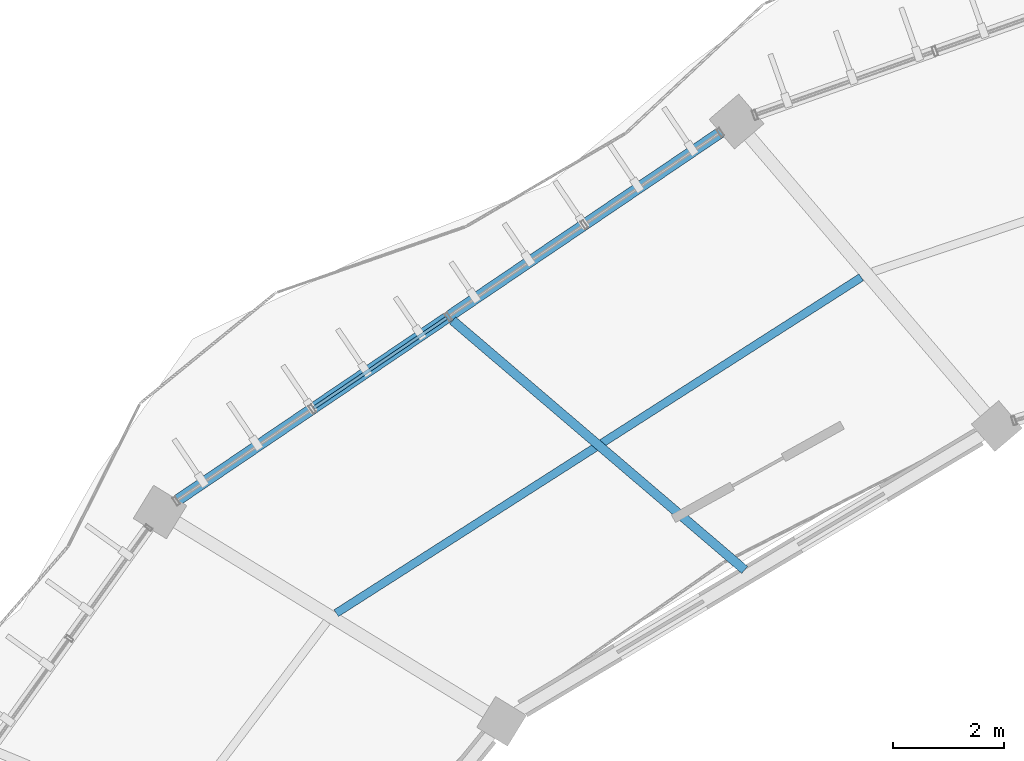
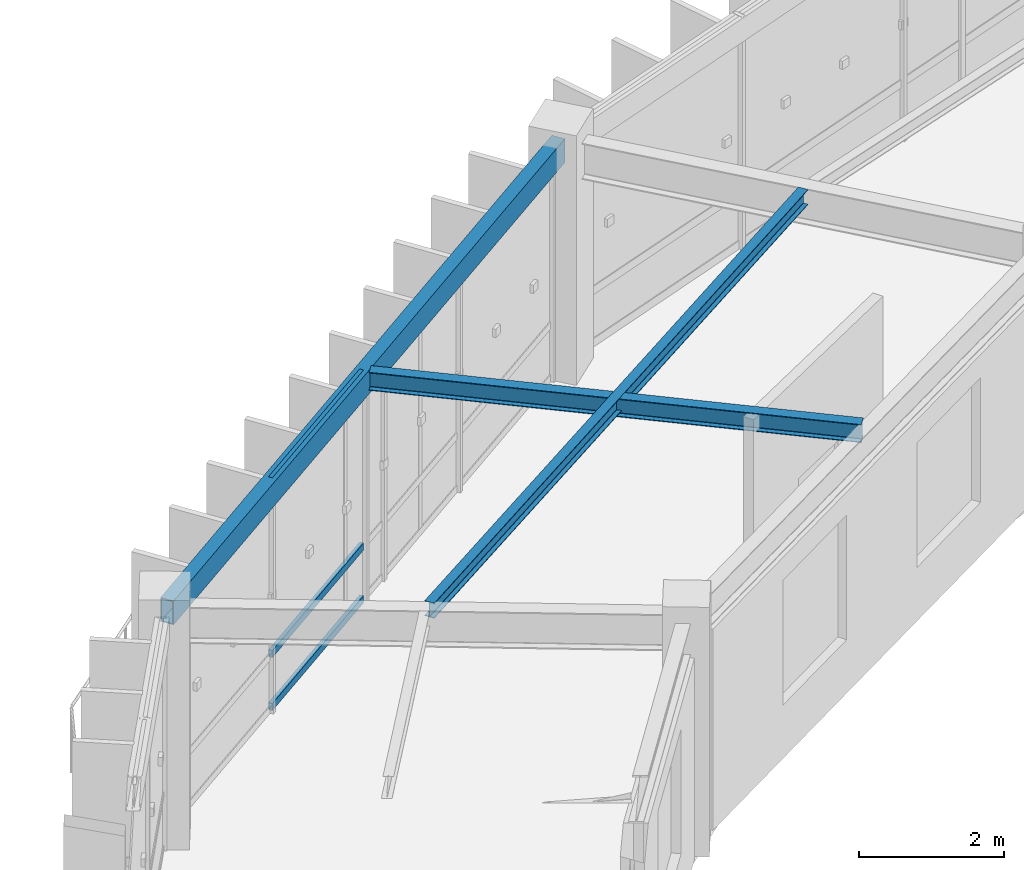
# One storey, part 44 of 138: 3 beams, 3 members, 1 element without a shape of its own.
"""IFC4 building model written with IfcOpenShell, lengths in metres."""

import ifcopenshell
import ifcopenshell.guid

model = None  # the IFC model being written
_history = None  # IfcOwnerHistory: only IFC2X3 demands one
_inside = {}  # id of a spatial element -> (the spatial element, [elements in it])
_under = {}  # id of a project, library or spatial element -> (it, [spatial elements below it])
_declared = {}  # id of a project -> (the project, [libraries it declares])
_typed = {}  # id of a type object -> (the type object, [elements of that type])
_made_of = {}  # id of a material, layer set ... -> (it, [elements and type objects made of it])


def new_model(schema):
    """Start an empty IFC model of exactly this schema.

    Asked for "IFC4X3", IfcOpenShell would pick the latest addendum, in which some entities
    have other attributes; the version numbers below select the first issue.
    IFC2X3 requires an IfcOwnerHistory on every rooted entity: one is made here for all.
    """
    global model, _history
    if schema == "IFC4X3":
        model = ifcopenshell.file(schema_version=(4, 3, 0, 0))
    else:
        model = ifcopenshell.file(schema=schema)
    _inside.clear()
    _under.clear()
    _declared.clear()
    _typed.clear()
    _made_of.clear()
    _history = None
    if model.schema == "IFC2X3":
        org = make("IfcOrganization", Name="unknown")
        user = make(
            "IfcPersonAndOrganization",
            ThePerson=make("IfcPerson", FamilyName="unknown"),
            TheOrganization=org,
        )
        app = make(
            "IfcApplication",
            ApplicationDeveloper=org,
            Version="unknown",
            ApplicationFullName="unknown",
            ApplicationIdentifier="unknown",
        )
        _history = make(
            "IfcOwnerHistory",
            OwningUser=user,
            OwningApplication=app,
            ChangeAction="ADDED",
            CreationDate=0,
        )
    return model


def make(cls, **values):
    """One entity of the class cls with the attributes given. An attribute that is None is left unset."""
    return model.create_entity(
        cls, **{name: value for name, value in values.items() if value is not None}
    )


def rooted(cls, **values):
    """An entity with a GlobalId (a new one), such as an element, a storey or a relation."""
    return make(cls, GlobalId=ifcopenshell.guid.new(), OwnerHistory=_history, **values)


def si_unit(unit_type, name, prefix=None):
    """IfcSIUnit, for example si_unit("LENGTHUNIT", "METRE", prefix="MILLI")."""
    return make("IfcSIUnit", UnitType=unit_type, Prefix=prefix, Name=name)


def assignment(units):
    """IfcUnitAssignment: the units of a project."""
    return None if units is None else make("IfcUnitAssignment", Units=units)


def point(xyz):
    """IfcCartesianPoint."""
    return None if xyz is None else make("IfcCartesianPoint", Coordinates=xyz)


def direction(xyz):
    """IfcDirection."""
    return None if xyz is None else make("IfcDirection", DirectionRatios=xyz)


def frame(location, z_axis=None, x_axis=None):
    """IfcAxis2Placement3D, a coordinate frame: its origin and axes. An axis left out is left unset."""
    return make(
        "IfcAxis2Placement3D",
        Location=point(location),
        Axis=direction(z_axis),
        RefDirection=direction(x_axis),
    )


def frame_2d(location, x_axis=None):
    """IfcAxis2Placement2D, a coordinate frame in the plane: its origin and x axis."""
    return make(
        "IfcAxis2Placement2D", Location=point(location), RefDirection=direction(x_axis)
    )


def origin():
    """The frame at (0, 0, 0) with its axes left unset."""
    return frame((0.0, 0.0, 0.0))


def origin_2d():
    """The frame at (0, 0) in the plane with its x axis left unset."""
    return frame_2d((0.0, 0.0))


def place(relative_to, where):
    """IfcLocalPlacement: puts the frame where relative to a parent placement (None: the world)."""
    return make(
        "IfcLocalPlacement", PlacementRelTo=relative_to, RelativePlacement=where
    )


def context(
    kind, dimensions, precision=None, world=None, true_north=None, identifier=None
):
    """IfcGeometricRepresentationContext, for example the 3D "Model" context."""
    return make(
        "IfcGeometricRepresentationContext",
        ContextIdentifier=identifier,
        ContextType=kind,
        CoordinateSpaceDimension=dimensions,
        Precision=precision,
        WorldCoordinateSystem=world,
        TrueNorth=true_north,
    )


def subcontext(parent, identifier, kind, view, scale=None):
    """IfcGeometricRepresentationSubContext, for example "Body" below "Model"."""
    return make(
        "IfcGeometricRepresentationSubContext",
        ContextIdentifier=identifier,
        ContextType=kind,
        ParentContext=parent,
        TargetScale=scale,
        TargetView=view,
    )


def project(units=None, contexts=None):
    """IfcProject with its units and contexts."""
    return rooted(
        "IfcProject",
        Name="project",
        RepresentationContexts=contexts,
        UnitsInContext=assignment(units),
    )


def spatial(cls, under=None, at=None, **own):
    """A site, building, storey or space (cls), placed at a placement, below another one or the project."""
    s = rooted(cls, ObjectPlacement=at, **own)
    if under is not None:
        _under.setdefault(under.id(), (under, []))[1].append(s)
    return s


def profile(cls, at=None, kind="AREA", **sizes):
    """A parametric profile (cls). Its sizes go by their IFC names, for example OverallWidth=200.0."""
    return make(cls, ProfileType=kind, Position=at, **sizes)


def hollow_rectangle(**sizes):
    """IfcRectangleHollowProfileDef."""
    return profile("IfcRectangleHollowProfileDef", **sizes)


def i_section(**sizes):
    """IfcIShapeProfileDef."""
    return profile("IfcIShapeProfileDef", **sizes)


def extrude(swept, where, along, depth):
    """IfcExtrudedAreaSolid: the profile swept, set in the frame where, extruded along a direction by depth."""
    return make(
        "IfcExtrudedAreaSolid",
        SweptArea=swept,
        Position=where,
        ExtrudedDirection=direction(along),
        Depth=depth,
    )


def shape(context_of_items, identifier, shape_type, items):
    """IfcShapeRepresentation: the items that make up one representation, for example the "Body"."""
    return make(
        "IfcShapeRepresentation",
        ContextOfItems=context_of_items,
        RepresentationIdentifier=identifier,
        RepresentationType=shape_type,
        Items=items,
    )


def material(Name=None, Category=None):
    """IfcMaterial."""
    return make("IfcMaterial", Name=Name, Category=Category)


def material_profile(
    of_material, cross_section, Name=None, Category=None, Priority=None
):
    """IfcMaterialProfile: a cross section and its material."""
    return make(
        "IfcMaterialProfile",
        Name=Name,
        Material=of_material,
        Profile=cross_section,
        Priority=Priority,
        Category=Category,
    )


def profile_set(profiles, Name=None, composite=None):
    """IfcMaterialProfileSet."""
    return make(
        "IfcMaterialProfileSet",
        Name=Name,
        MaterialProfiles=profiles,
        CompositeProfile=composite,
    )


def made_of(thing, what):
    """Note that an element or type object is made of a material, layer set ...; save() writes the relation."""
    if what is not None:
        _made_of.setdefault(what.id(), (what, []))[1].append(thing)
    return thing


def type_object(cls, material=None, **own):
    """A type object (cls), such as IfcWallType, which elements share."""
    return made_of(rooted(cls, **own), material)


def element(
    cls,
    number,
    at=None,
    inside=None,
    cuts=None,
    type_object=None,
    material=None,
    context=None,
    identifier="Body",
    shape_type=None,
    held_by="IfcProductDefinitionShape",
    body=None,
    shapes=None,
    **own,
):
    """One element of the class cls, such as IfcWall. Its Tag is "e" and its number.

    at: its placement. inside: the storey or other place that contains it. cuts: it is an
    opening in that element (IfcRelVoidsElement). A single representation is given by context,
    identifier, shape_type and body (its items); several are given by shapes. held_by: the class
    of the entity that holds the representations. save() writes the other relations.
    """
    e = rooted(cls, Tag="e%d" % number, ObjectPlacement=at, **own)
    if body is not None:
        shapes = [shape(context, identifier, shape_type, body)]
    if shapes is not None:
        e.Representation = make(held_by, Representations=shapes)
    if inside is not None:
        _inside.setdefault(inside.id(), (inside, []))[1].append(e)
    if cuts is not None:
        rooted(
            "IfcRelVoidsElement", RelatingBuildingElement=cuts, RelatedOpeningElement=e
        )
    if type_object is not None:
        _typed.setdefault(type_object.id(), (type_object, []))[1].append(e)
    return made_of(e, material)


def aggregate(whole, parts):
    """IfcRelAggregates: a whole, such as a stair, and the parts it consists of."""
    return rooted("IfcRelAggregates", RelatingObject=whole, RelatedObjects=parts)


def save(model, path):
    """Write the relations noted so far, then the file.

    IfcRelAggregates (storeys below a building ...), IfcRelContainedInSpatialStructure (elements
    in a storey), IfcRelDefinesByType, IfcRelAssociatesMaterial and IfcRelDeclares: one each for
    every whole, place, type object, material and project.
    """
    for whole, parts in _under.values():
        aggregate(whole, parts)
    for where, things in _inside.values():
        rooted(
            "IfcRelContainedInSpatialStructure",
            RelatedElements=things,
            RelatingStructure=where,
        )
    for kind, things in _typed.values():
        rooted("IfcRelDefinesByType", RelatedObjects=things, RelatingType=kind)
    for what, things in _made_of.values():
        rooted("IfcRelAssociatesMaterial", RelatedObjects=things, RelatingMaterial=what)
    for by, libraries in _declared.values():
        rooted("IfcRelDeclares", RelatingContext=by, RelatedDefinitions=libraries)
    model.write(path)


model = new_model("IFC4")

# Units and contexts
model_context = context("Model", 3, precision=1e-05, world=origin(), true_north=direction((0.0, 1.0)))
body_context = subcontext(model_context, "Body", "Model", "MODEL_VIEW")
ifc_project = project(units=[si_unit("LENGTHUNIT", "METRE"), si_unit("AREAUNIT", "SQUARE_METRE"), si_unit("VOLUMEUNIT", "CUBIC_METRE"), si_unit("PLANEANGLEUNIT", "RADIAN"), si_unit("MASSUNIT", "GRAM", prefix="KILO"), si_unit("THERMODYNAMICTEMPERATUREUNIT", "KELVIN"), si_unit("POWERUNIT", "WATT")], contexts=[model_context])

# Site, building, storey
site_placement = place(None, origin())
site = spatial("IfcSite", under=ifc_project, at=site_placement, CompositionType="ELEMENT")
building_placement = place(site_placement, origin())
building = spatial("IfcBuilding", under=site, at=building_placement, Name="Darbajah Civic Hall", CompositionType="ELEMENT")
storey_placement = place(building_placement, frame((0.0, 0.0, 9.60009765625)))
storey = spatial("IfcBuildingStorey", under=building, at=storey_placement, Name="L02", CompositionType="ELEMENT", Elevation=9.60009765625)

# Curtain wall, members
ifc_material_1 = material(Name="Anodised Bronze Aluminium and Low-E Glazing", Category="aluminium")
curtain_wall_type = type_object("IfcCurtainWallType", Name="Unitised Curtain Wall CW-26 11800x3900", PredefinedType="USERDEFINED", material=ifc_material_1)
curtain_wall_placement = place(storey_placement, origin())
curtain_wall = element("IfcCurtainWall", 1, at=curtain_wall_placement, inside=storey, type_object=curtain_wall_type, Name="L02 unitised curtain wall CW-V1O-L02-07", ObjectType="UNITISED CURTAIN WALL", PredefinedType="USERDEFINED")
ifc_material_2 = material(Name="Anodised Bronze Aluminium", Category="aluminium")
ifc_material_profile_1 = material_profile(ifc_material_2, hollow_rectangle(XDim=0.06005859375, YDim=0.1201171875, WallThickness=0.003173828125, at=origin_2d()), Name="ALU TRANSOM 60x120")
ifc_profile_set_1 = profile_set([ifc_material_profile_1], Name="Anodised Bronze Aluminium")
member_type = type_object("IfcMemberType", Name="ALU TRANSOM 60x120", PredefinedType="USERDEFINED", material=ifc_profile_set_1)
member_1_placement = place(storey_placement, frame((50.767822265625, 108.703125, 0.059814453125), z_axis=(-0.828002403573, -0.560724548845, 0.0), x_axis=(0.560724548845, -0.828002403573, 0.0)))
member_1 = element("IfcMember", 2, at=member_1_placement, type_object=member_type, Name="CW-V1O-L02-07 transom 3.1", ObjectType="TRANSOM", PredefinedType="USERDEFINED", context=body_context, shape_type="SweptSolid", body=[
    extrude(hollow_rectangle(XDim=0.06005859375, YDim=0.1201171875, WallThickness=0.003173828125, at=origin_2d()), origin(), (0.0, 0.0, 1.0), 2.8828125),
])
member_2_placement = place(storey_placement, frame((50.767822265625, 108.703125, 0.949951171875), z_axis=(-0.828002403573, -0.560724548845, 0.0), x_axis=(0.560724548845, -0.828002403573, 0.0)))
member_2 = element("IfcMember", 3, at=member_2_placement, type_object=member_type, Name="CW-V1O-L02-07 transom 3.2", ObjectType="TRANSOM", PredefinedType="USERDEFINED", context=body_context, shape_type="SweptSolid", body=[
    extrude(hollow_rectangle(XDim=0.06005859375, YDim=0.1201171875, WallThickness=0.003173828125, at=origin_2d()), origin(), (0.0, 0.0, 1.0), 2.8828125),
])
member_3_placement = place(storey_placement, frame((50.767822265625, 108.703125, 3.85986328125), z_axis=(-0.828002403573, -0.560724548845, 0.0), x_axis=(0.560724548845, -0.828002403573, 0.0)))
member_3 = element("IfcMember", 4, at=member_3_placement, type_object=member_type, Name="CW-V1O-L02-07 transom 3.3", ObjectType="TRANSOM", PredefinedType="USERDEFINED", context=body_context, shape_type="SweptSolid", body=[
    extrude(hollow_rectangle(XDim=0.06005859375, YDim=0.1201171875, WallThickness=0.003173828125, at=origin_2d()), origin(), (0.0, 0.0, 1.0), 2.8828125),
])
aggregate(curtain_wall, [member_1, member_2, member_3])

# Beams
ifc_material_3 = material(Name="Steel S355JR", Category="steel")
ifc_material_profile_2 = material_profile(ifc_material_3, hollow_rectangle(XDim=0.199951171875, YDim=0.39990234375, WallThickness=0.013916015625, at=origin_2d()), Name="RHS 400x200x14")
ifc_profile_set_2 = profile_set([ifc_material_profile_2], Name="Steel S355JR")
beam_type_1 = type_object("IfcBeamType", Name="RHS 400x200x14", PredefinedType="SPANDREL", material=ifc_profile_set_2)
beam_1_placement = place(storey_placement, frame((55.911865234375, 112.18701171875, 3.719970703125), z_axis=(-0.827982022698, -0.560754643394, 0.0), x_axis=(0.560754643394, -0.827982022698, 0.0)))
element("IfcBeam", 5, at=beam_1_placement, inside=storey, type_object=beam_type_1, Name="L02 beam SP-RHS400", PredefinedType="SPANDREL", context=body_context, shape_type="SweptSolid", body=[
    extrude(hollow_rectangle(XDim=0.199951171875, YDim=0.39990234375, WallThickness=0.013916015625, at=origin_2d()), origin(), (0.0, 0.0, 1.0), 12.355712890625),
])
ifc_material_profile_3 = material_profile(ifc_material_3, i_section(OverallWidth=0.146484375, OverallDepth=0.256103515625, WebThickness=0.00634765625, FlangeThickness=0.010986328125, FilletRadius=0.007568359375, at=origin_2d()), Name="UB 254x146x37")
ifc_profile_set_3 = profile_set([ifc_material_profile_3], Name="Steel S355JR")
beam_type_2 = type_object("IfcBeamType", Name="UB 254x146x37", PredefinedType="JOIST", material=ifc_profile_set_3)
beam_2_placement = place(storey_placement, frame((58.218505859375, 109.431884765625, 3.7919921875), z_axis=(-0.842364011789, -0.538908964152, 0.0), x_axis=(0.538908964152, -0.842364011789, 0.0)))
element("IfcBeam", 6, at=beam_2_placement, inside=storey, type_object=beam_type_2, Name="L02 beam SJ-254", PredefinedType="JOIST", context=body_context, shape_type="SweptSolid", body=[
    extrude(i_section(OverallWidth=0.146484375, OverallDepth=0.256103515625, WebThickness=0.00634765625, FlangeThickness=0.010986328125, FilletRadius=0.007568359375, at=origin_2d()), origin(), (0.0, 0.0, 1.0), 11.20166015625),
])
ifc_material_profile_4 = material_profile(ifc_material_3, i_section(OverallWidth=0.165771484375, OverallDepth=0.306640625, WebThickness=0.006591796875, FlangeThickness=0.01171875, FilletRadius=0.0087890625, at=origin_2d()), Name="UB 305x165x46")
ifc_profile_set_4 = profile_set([ifc_material_profile_4], Name="Steel S355JR")
beam_type_3 = type_object("IfcBeamType", Name="UB 305x165x46", PredefinedType="JOIST", material=ifc_profile_set_4)
beam_3_placement = place(storey_placement, frame((56.123779296875, 104.173095703125, 3.7666015625), z_axis=(-0.760413700639, 0.649438991654, 0.0), x_axis=(-0.649438991654, -0.760413700639, 0.0)))
element("IfcBeam", 7, at=beam_3_placement, inside=storey, type_object=beam_type_3, Name="L02 beam SJ-305", PredefinedType="JOIST", context=body_context, shape_type="SweptSolid", body=[
    extrude(i_section(OverallWidth=0.165771484375, OverallDepth=0.306640625, WebThickness=0.006591796875, FlangeThickness=0.01171875, FilletRadius=0.0087890625, at=origin_2d()), origin(), (0.0, 0.0, 1.0), 6.903564453125),
])

save(model, "model.ifc")
